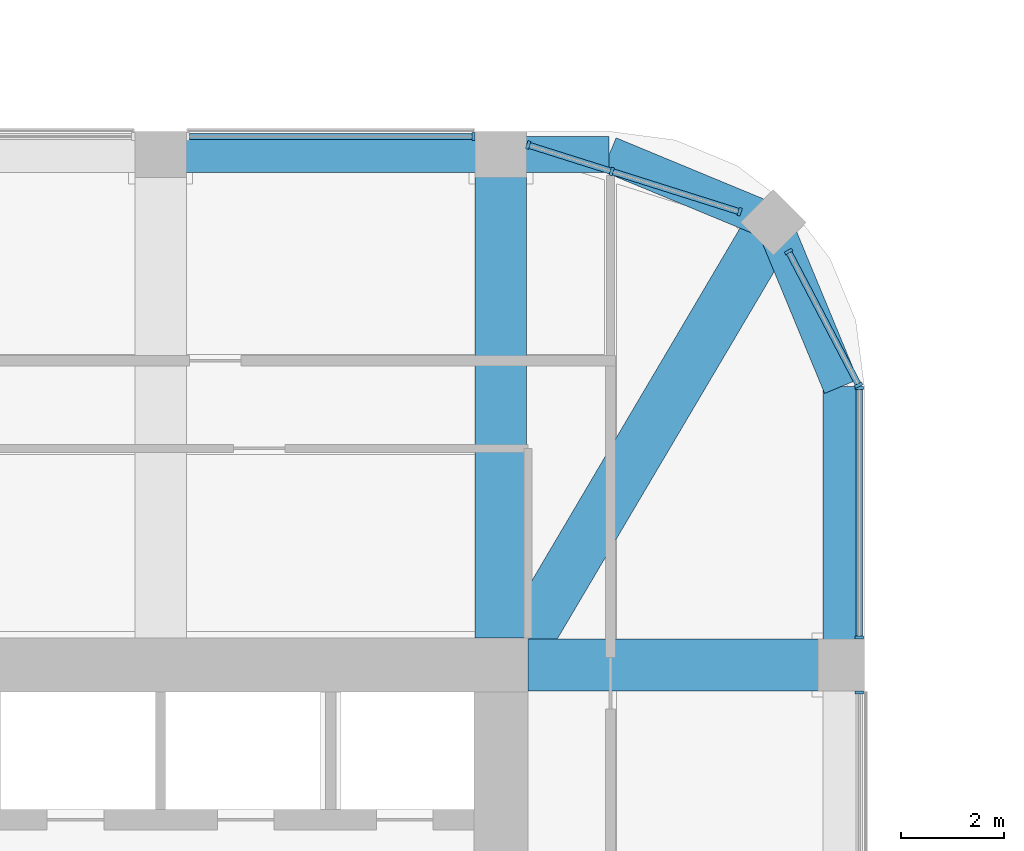
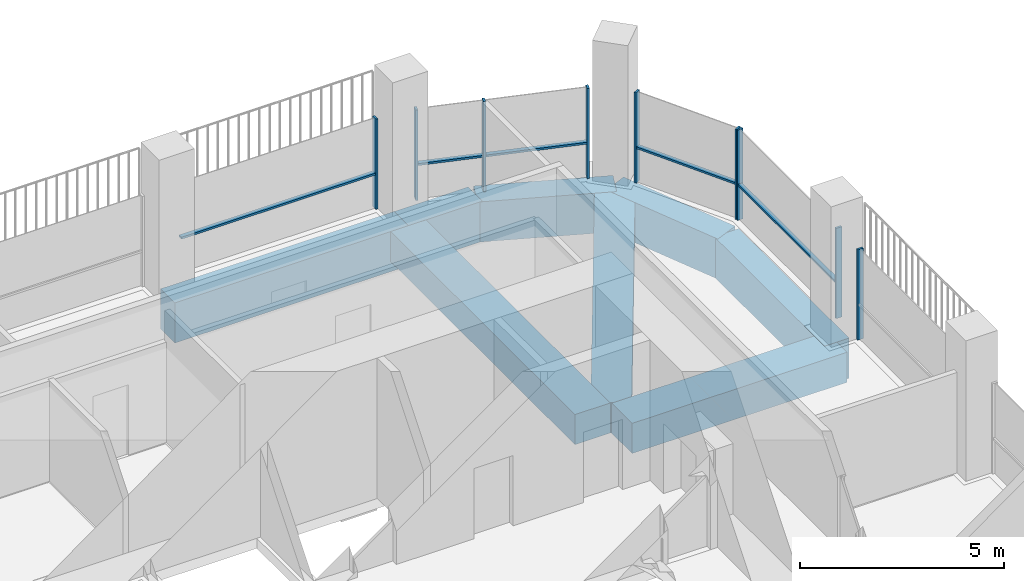
# One storey, part 6 of 18: 14 members, 8 beams, 5 elements without a shape of their own.
"""IFC4 building model written with IfcOpenShell, lengths in metres."""

from ifc_helpers import new_model, si_unit, direction, frame, origin, origin_2d, place, context, subcontext, project, spatial, rectangle, extrude, material, material_profile, profile_set, type_object, element, aggregate, save


model = new_model("IFC4")

# Units and contexts
model_context = context("Model", 3, precision=1e-05, world=origin(), true_north=direction((0.0, 1.0)))
body_context = subcontext(model_context, "Body", "Model", "MODEL_VIEW")
ifc_project = project(units=[si_unit("LENGTHUNIT", "METRE"), si_unit("AREAUNIT", "SQUARE_METRE"), si_unit("VOLUMEUNIT", "CUBIC_METRE"), si_unit("PLANEANGLEUNIT", "RADIAN"), si_unit("MASSUNIT", "GRAM", prefix="KILO")], contexts=[model_context])

# Site, building, storey
site_placement = place(None, origin())
site = spatial("IfcSite", under=ifc_project, at=site_placement, CompositionType="ELEMENT")
building_placement = place(site_placement, origin())
building = spatial("IfcBuilding", under=site, at=building_placement, Name="Cobogo Forest Laboratory Tower", CompositionType="ELEMENT")
storey_placement = place(building_placement, frame((0.0, 0.0, 271.199951171875)))
storey = spatial("IfcBuildingStorey", under=building, at=storey_placement, Name="L62", CompositionType="ELEMENT", Elevation=271.199951171875)

# Curtain wall, member
ifc_material_1 = material(Name="Aluminium curtain wall", Category="aluminium")
curtain_wall_type = type_object("IfcCurtainWallType", Name="CW-2 unitised curtain wall, solar control glazing, laboratory floors zones C and D", PredefinedType="USERDEFINED", material=ifc_material_1)
curtain_wall_1_placement = place(storey_placement, origin())
curtain_wall_1 = element("IfcCurtainWall", 1, at=curtain_wall_1_placement, inside=storey, type_object=curtain_wall_type, Name="Curtain wall 10 L62", ObjectType="UNITISED CURTAIN WALL", PredefinedType="USERDEFINED")
ifc_material_2 = material(Name="Aluminium mullion", Category="aluminium")
ifc_material_profile_1 = material_profile(ifc_material_2, rectangle(XDim=0.06005859375, YDim=0.159912109375, at=origin_2d()), Name="AL 60x160")
ifc_profile_set_1 = profile_set([ifc_material_profile_1], Name="Aluminium mullion")
member_type_1 = type_object("IfcMemberType", Name="MU-1 aluminium mullion 60x160", PredefinedType="MULLION", material=ifc_profile_set_1)
member_1_placement = place(storey_placement, frame((46.550048828125, 32.469970703125, 0.0), z_axis=(0.0, 0.0, 1.0), x_axis=(0.0, 1.0, 0.0)))
member_1 = element("IfcMember", 2, at=member_1_placement, type_object=member_type_1, Name="CW-2 mullion 2", PredefinedType="MULLION", context=body_context, shape_type="SweptSolid", body=[
    extrude(rectangle(XDim=0.06005859375, YDim=0.159912109375, at=origin_2d()), origin(), (0.0, 0.0, 1.0), 2.699951171875),
])
aggregate(curtain_wall_1, [member_1])

# Curtain wall, members
curtain_wall_2_placement = place(storey_placement, origin())
curtain_wall_2 = element("IfcCurtainWall", 3, at=curtain_wall_2_placement, inside=storey, type_object=curtain_wall_type, Name="Curtain wall 11 L62", ObjectType="UNITISED CURTAIN WALL", PredefinedType="USERDEFINED")
member_2_placement = place(storey_placement, frame((46.550048828125, 33.530029296875, 0.0), z_axis=(0.0, 0.0, 1.0), x_axis=(0.0, 1.0, 0.0)))
member_2 = element("IfcMember", 4, at=member_2_placement, type_object=member_type_1, Name="CW-2 mullion 1", PredefinedType="MULLION", context=body_context, shape_type="SweptSolid", body=[
    extrude(rectangle(XDim=0.06005859375, YDim=0.159912109375, at=origin_2d()), origin(), (0.0, 0.0, 1.0), 2.699951171875),
])
member_3_placement = place(storey_placement, frame((46.550048828125, 38.3701171875, 0.0), z_axis=(0.0, 0.0, 1.0), x_axis=(0.0, 1.0, 0.0)))
member_3 = element("IfcMember", 5, at=member_3_placement, type_object=member_type_1, Name="CW-2 mullion 2", PredefinedType="MULLION", context=body_context, shape_type="SweptSolid", body=[
    extrude(rectangle(XDim=0.06005859375, YDim=0.159912109375, at=origin_2d()), origin(), (0.0, 0.0, 1.0), 2.699951171875),
])

curtain_wall_3_placement = place(storey_placement, origin())
curtain_wall_3 = element("IfcCurtainWall", 6, at=curtain_wall_3_placement, inside=storey, type_object=curtain_wall_type, Name="Curtain wall 12 L62", ObjectType="UNITISED CURTAIN WALL", PredefinedType="USERDEFINED")
member_4_placement = place(storey_placement, frame((46.5361328125, 38.426513671875, 0.0), z_axis=(0.0, 0.0, 1.0), x_axis=(-0.464283778337, 0.885686498245, 0.0)))
member_4 = element("IfcMember", 7, at=member_4_placement, type_object=member_type_1, Name="CW-2 mullion 1", PredefinedType="MULLION", context=body_context, shape_type="SweptSolid", body=[
    extrude(rectangle(XDim=0.06005859375, YDim=0.159912109375, at=origin_2d()), origin(), (0.0, 0.0, 1.0), 2.699951171875),
])
member_5_placement = place(storey_placement, frame((45.177978515625, 41.017333984375, 0.0), z_axis=(0.0, 0.0, 1.0), x_axis=(-0.464283778337, 0.885686498245, 0.0)))
member_5 = element("IfcMember", 8, at=member_5_placement, type_object=member_type_1, Name="CW-2 mullion 2", PredefinedType="MULLION", context=body_context, shape_type="SweptSolid", body=[
    extrude(rectangle(XDim=0.06005859375, YDim=0.159912109375, at=origin_2d()), origin(), (0.0, 0.0, 1.0), 2.699951171875),
])

curtain_wall_4_placement = place(storey_placement, origin())
curtain_wall_4 = element("IfcCurtainWall", 9, at=curtain_wall_4_placement, inside=storey, type_object=curtain_wall_type, Name="Curtain wall 13 L62", ObjectType="UNITISED CURTAIN WALL", PredefinedType="USERDEFINED")
member_6_placement = place(storey_placement, frame((44.22998046875, 41.787841796875, 0.0), z_axis=(0.0, 0.0, 1.0), x_axis=(-0.953581379409, 0.301135439371, 0.0)))
member_6 = element("IfcMember", 10, at=member_6_placement, type_object=member_type_1, Name="CW-2 mullion 1", PredefinedType="MULLION", context=body_context, shape_type="SweptSolid", body=[
    extrude(rectangle(XDim=0.06005859375, YDim=0.159912109375, at=origin_2d()), origin(), (0.0, 0.0, 1.0), 2.699951171875),
])
member_7_placement = place(storey_placement, frame((41.7490234375, 42.5712890625, 0.0), z_axis=(0.0, 0.0, 1.0), x_axis=(-0.953581379409, 0.301135439371, 0.0)))
member_7 = element("IfcMember", 11, at=member_7_placement, type_object=member_type_1, Name="CW-2 mullion 2", PredefinedType="MULLION", context=body_context, shape_type="SweptSolid", body=[
    extrude(rectangle(XDim=0.06005859375, YDim=0.159912109375, at=origin_2d()), origin(), (0.0, 0.0, 1.0), 2.699951171875),
])
member_8_placement = place(storey_placement, frame((40.128662109375, 43.0830078125, 0.0), z_axis=(0.0, 0.0, 1.0), x_axis=(-0.953581379409, 0.301135439371, 0.0)))
member_8 = element("IfcMember", 12, at=member_8_placement, type_object=member_type_1, Name="CW-2 mullion 3", PredefinedType="MULLION", context=body_context, shape_type="SweptSolid", body=[
    extrude(rectangle(XDim=0.06005859375, YDim=0.159912109375, at=origin_2d()), origin(), (0.0, 0.0, 1.0), 2.699951171875),
])

# Curtain wall, member
curtain_wall_5_placement = place(storey_placement, origin())
curtain_wall_5 = element("IfcCurtainWall", 13, at=curtain_wall_5_placement, inside=storey, type_object=curtain_wall_type, Name="Curtain wall 14 L62", ObjectType="UNITISED CURTAIN WALL", PredefinedType="USERDEFINED")
member_9_placement = place(storey_placement, frame((39.070068359375, 43.25, 0.0), z_axis=(0.0, 0.0, 1.0), x_axis=(-1.0, 0.0, 0.0)))
member_9 = element("IfcMember", 14, at=member_9_placement, type_object=member_type_1, Name="CW-2 mullion 1", PredefinedType="MULLION", context=body_context, shape_type="SweptSolid", body=[
    extrude(rectangle(XDim=0.06005859375, YDim=0.159912109375, at=origin_2d()), origin(), (0.0, 0.0, 1.0), 2.699951171875),
])

# Beams
ifc_material_3 = material(Name="Concrete HA-40 (C40/50)", Category="concrete")
ifc_material_profile_2 = material_profile(ifc_material_3, rectangle(XDim=1.0, YDim=0.89990234375, at=origin_2d()), Name="RC 1000x900")
ifc_profile_set_2 = profile_set([ifc_material_profile_2], Name="Concrete HA-40 (C40/50)")
beam_type_1 = type_object("IfcBeamType", Name="Office floor wide beam 1000x900", PredefinedType="BEAM", material=ifc_profile_set_2)
beam_1_placement = place(storey_placement, frame((39.60009765625, 33.52490234375, -0.75), z_axis=(0.0, 1.0, 0.0), x_axis=(-1.0, 0.0, 0.0)))
element("IfcBeam", 15, at=beam_1_placement, inside=storey, type_object=beam_type_1, Name="RB2 R-7-N L62", PredefinedType="BEAM", context=body_context, shape_type="SweptSolid", body=[
    extrude(rectangle(XDim=1.0, YDim=0.89990234375, at=origin_2d()), origin(), (0.0, 0.0, 1.0), 9.375),
])
beam_2_placement = place(storey_placement, frame((40.125, 33.0, -0.75), z_axis=(1.0, 0.0, 0.0), x_axis=(0.0, 1.0, 0.0)))
element("IfcBeam", 16, at=beam_2_placement, inside=storey, type_object=beam_type_1, Name="RB2 R-F-E L62", PredefinedType="BEAM", context=body_context, shape_type="SweptSolid", body=[
    extrude(rectangle(XDim=1.0, YDim=0.89990234375, at=origin_2d()), origin(), (0.0, 0.0, 1.0), 6.074951171875),
])
beam_3_placement = place(storey_placement, frame((44.882080078125, 41.58203125, -0.75), z_axis=(-0.508416325908, -0.861111397875, 0.0), x_axis=(0.861111397875, -0.508416325908, 0.0)))
element("IfcBeam", 17, at=beam_3_placement, inside=storey, type_object=beam_type_1, Name="RB2 G-NE-D1 L62", PredefinedType="BEAM", context=body_context, shape_type="SweptSolid", body=[
    extrude(rectangle(XDim=1.0, YDim=0.89990234375, at=origin_2d()), origin(), (0.0, 0.0, 1.0), 9.356689453125),
])
ifc_material_profile_3 = material_profile(ifc_material_3, rectangle(XDim=0.699951171875, YDim=1.199951171875, at=origin_2d()), Name="RC 700x1200")
ifc_profile_set_3 = profile_set([ifc_material_profile_3], Name="Concrete HA-40 (C40/50)")
beam_type_2 = type_object("IfcBeamType", Name="Perimeter edge beam 700x1200", PredefinedType="BEAM", material=ifc_profile_set_3)
beam_4_placement = place(storey_placement, frame((33.0, 42.89990234375, -0.89990234375), z_axis=(1.0, 0.0, 0.0), x_axis=(0.0, 1.0, 0.0)))
element("IfcBeam", 18, at=beam_4_placement, inside=storey, type_object=beam_type_2, Name="EB1 E-N4 L62", PredefinedType="BEAM", context=body_context, shape_type="SweptSolid", body=[
    extrude(rectangle(XDim=0.699951171875, YDim=1.199951171875, at=origin_2d()), origin(), (0.0, 0.0, 1.0), 6.60009765625),
])
beam_5_placement = place(storey_placement, frame((46.199951171875, 33.0, -0.89990234375), z_axis=(0.0, 1.0, 0.0), x_axis=(-1.0, 0.0, 0.0)))
element("IfcBeam", 19, at=beam_5_placement, inside=storey, type_object=beam_type_2, Name="EB1 E-NEE1 L62", PredefinedType="BEAM", context=body_context, shape_type="SweptSolid", body=[
    extrude(rectangle(XDim=0.699951171875, YDim=1.199951171875, at=origin_2d()), origin(), (0.0, 0.0, 1.0), 5.39990234375),
])
beam_6_placement = place(storey_placement, frame((46.199951171875, 38.39990234375, -0.89990234375), z_axis=(-0.382631424892, 0.923901072997, 0.0), x_axis=(-0.923901072997, -0.382631424892, 0.0)))
element("IfcBeam", 20, at=beam_6_placement, inside=storey, type_object=beam_type_2, Name="EB1 E-NEE2 L62", PredefinedType="BEAM", context=body_context, shape_type="SweptSolid", body=[
    extrude(rectangle(XDim=0.699951171875, YDim=1.199951171875, at=origin_2d()), origin(), (0.0, 0.0, 1.0), 3.4443359375),
])
beam_7_placement = place(storey_placement, frame((39.60009765625, 42.89990234375, -0.89990234375), z_axis=(1.0, 0.0, 0.0), x_axis=(0.0, 1.0, 0.0)))
element("IfcBeam", 21, at=beam_7_placement, inside=storey, type_object=beam_type_2, Name="EB1 E-NEN1 L62", PredefinedType="BEAM", context=body_context, shape_type="SweptSolid", body=[
    extrude(rectangle(XDim=0.699951171875, YDim=1.199951171875, at=origin_2d()), origin(), (0.0, 0.0, 1.0), 2.099853515625),
])
beam_8_placement = place(storey_placement, frame((41.699951171875, 42.89990234375, -0.89990234375), z_axis=(0.923901072997, -0.382631424892, 0.0), x_axis=(0.382631424892, 0.923901072997, 0.0)))
element("IfcBeam", 22, at=beam_8_placement, inside=storey, type_object=beam_type_2, Name="EB1 E-NEN2 L62", PredefinedType="BEAM", context=body_context, shape_type="SweptSolid", body=[
    extrude(rectangle(XDim=0.699951171875, YDim=1.199951171875, at=origin_2d()), origin(), (0.0, 0.0, 1.0), 3.4443359375),
])

# Member
ifc_material_4 = material(Name="Aluminium transom", Category="aluminium")
ifc_material_profile_4 = material_profile(ifc_material_4, rectangle(XDim=0.1201171875, YDim=0.06005859375, at=origin_2d()), Name="AL 60x120")
ifc_profile_set_4 = profile_set([ifc_material_profile_4], Name="Aluminium transom")
member_type_2 = type_object("IfcMemberType", Name="TR-1 aluminium transom 60x120", PredefinedType="USERDEFINED", material=ifc_profile_set_4)
member_10_placement = place(storey_placement, frame((46.550048828125, 33.56005859375, 1.050048828125), z_axis=(0.0, 1.0, 0.0), x_axis=(-1.0, 0.0, 0.0)))
member_10 = element("IfcMember", 23, at=member_10_placement, type_object=member_type_2, Name="CW-2 transom 1.1", ObjectType="TRANSOM", PredefinedType="USERDEFINED", context=body_context, shape_type="SweptSolid", body=[
    extrude(rectangle(XDim=0.1201171875, YDim=0.06005859375, at=origin_2d()), origin(), (0.0, 0.0, 1.0), 4.780029296875),
])

aggregate(curtain_wall_2, [member_2, member_3, member_10])

member_11_placement = place(storey_placement, frame((46.522216796875, 38.453125, 1.050048828125), z_axis=(-0.46430944806, 0.885673041501, 0.0), x_axis=(-0.885673041501, -0.46430944806, 0.0)))
member_11 = element("IfcMember", 24, at=member_11_placement, type_object=member_type_2, Name="CW-2 transom 1.1", ObjectType="TRANSOM", PredefinedType="USERDEFINED", context=body_context, shape_type="SweptSolid", body=[
    extrude(rectangle(XDim=0.1201171875, YDim=0.06005859375, at=origin_2d()), origin(), (0.0, 0.0, 1.0), 2.865234375),
])

aggregate(curtain_wall_3, [member_4, member_5, member_11])

member_12_placement = place(storey_placement, frame((44.201416015625, 41.796875, 1.050048828125), z_axis=(-0.953587019958, 0.301117577314, 0.0), x_axis=(-0.301117577314, -0.953587019958, 0.0)))
member_12 = element("IfcMember", 25, at=member_12_placement, type_object=member_type_2, Name="CW-2 transom 1.1", ObjectType="TRANSOM", PredefinedType="USERDEFINED", context=body_context, shape_type="SweptSolid", body=[
    extrude(rectangle(XDim=0.1201171875, YDim=0.06005859375, at=origin_2d()), origin(), (0.0, 0.0, 1.0), 2.541748046875),
])

member_13_placement = place(storey_placement, frame((41.720458984375, 42.580322265625, 1.050048828125), z_axis=(-0.953582665134, 0.301131367937, 0.0), x_axis=(-0.301131367937, -0.953582665134, 0.0)))
member_13 = element("IfcMember", 26, at=member_13_placement, type_object=member_type_2, Name="CW-2 transom 2.1", ObjectType="TRANSOM", PredefinedType="USERDEFINED", context=body_context, shape_type="SweptSolid", body=[
    extrude(rectangle(XDim=0.1201171875, YDim=0.06005859375, at=origin_2d()), origin(), (0.0, 0.0, 1.0), 1.639404296875),
])

aggregate(curtain_wall_4, [member_6, member_7, member_8, member_12, member_13])

member_14_placement = place(storey_placement, frame((39.0400390625, 43.25, 1.050048828125), z_axis=(-1.0, 0.0, 0.0), x_axis=(0.0, -1.0, 0.0)))
member_14 = element("IfcMember", 27, at=member_14_placement, type_object=member_type_2, Name="CW-2 transom 1.1", ObjectType="TRANSOM", PredefinedType="USERDEFINED", context=body_context, shape_type="SweptSolid", body=[
    extrude(rectangle(XDim=0.1201171875, YDim=0.06005859375, at=origin_2d()), origin(), (0.0, 0.0, 1.0), 5.47998046875),
])

aggregate(curtain_wall_5, [member_9, member_14])

save(model, "model.ifc")
